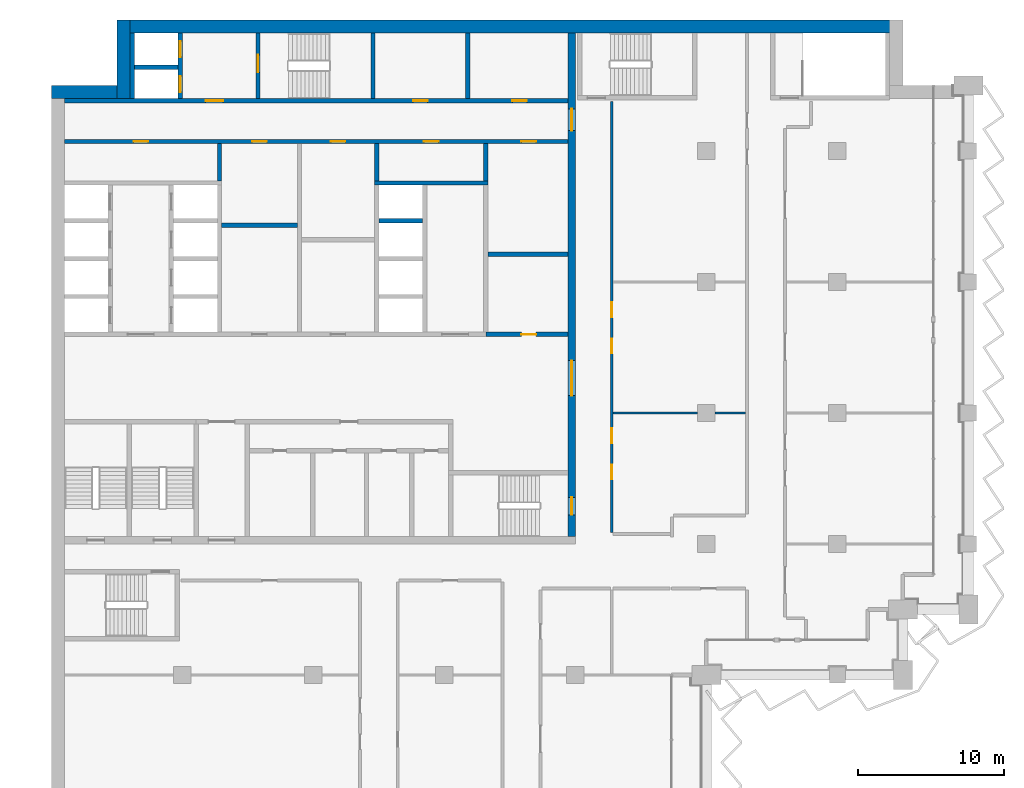
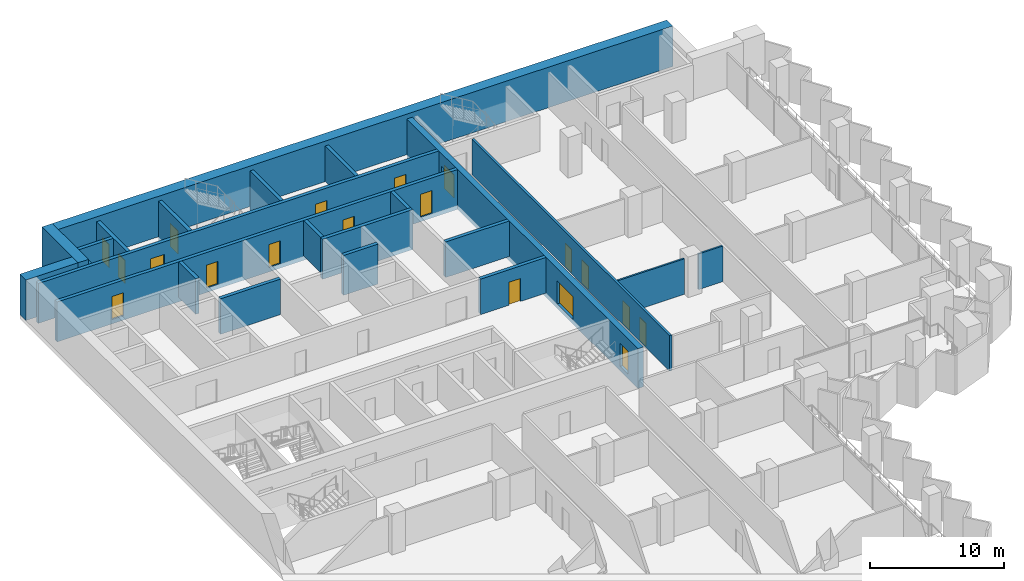
# One storey, part 14 of 22: 23 walls, 19 doors, 19 openings.
"""IFC4 building model written with IfcOpenShell, lengths in metres."""

from ifc_helpers import new_model, si_unit, direction, frame, frame_2d, origin, place, context, subcontext, project, spatial, rectangle, extrude, material, layer, layer_set, type_object, element, fill, save


model = new_model("IFC4")

# Units and contexts
model_context = context("Model", 3, precision=1e-05, world=origin(), true_north=direction((0.0, 1.0)))
body_context = subcontext(model_context, "Body", "Model", "MODEL_VIEW")
ifc_project = project(units=[si_unit("LENGTHUNIT", "METRE"), si_unit("AREAUNIT", "SQUARE_METRE"), si_unit("VOLUMEUNIT", "CUBIC_METRE"), si_unit("PLANEANGLEUNIT", "RADIAN"), si_unit("MASSUNIT", "GRAM", prefix="KILO")], contexts=[model_context])

# Site, building, storey
site_placement = place(None, origin())
site = spatial("IfcSite", under=ifc_project, at=site_placement, CompositionType="ELEMENT")
building_placement = place(site_placement, origin())
building = spatial("IfcBuilding", under=site, at=building_placement, Name="Hunhe Ridgeline Campus", CompositionType="ELEMENT")
storey_placement = place(building_placement, frame((0.0, 0.0, 174.5)))
storey = spatial("IfcBuildingStorey", under=building, at=storey_placement, Name="L44", CompositionType="ELEMENT", Elevation=174.5)

# Wall, opening, door
ifc_material_1 = material(Name="Masonry concrete blockwork", Category="masonry")
ifc_layer_1 = layer(ifc_material_1, 0.300048828125)
ifc_layer_set_1 = layer_set([ifc_layer_1], Name="Core room partition 300 concrete block")
wall_type_1 = type_object("IfcWallType", Name="Core room partition 300 concrete block", PredefinedType="PARTITIONING", material=ifc_layer_set_1)
wall_1_placement = place(storey_placement, frame((29.85009765625, 77.39990234375, 0.0), z_axis=(0.0, 0.0, 1.0), x_axis=(1.0, 0.0, 0.0)))
wall_1 = element("IfcWall", 1, at=wall_1_placement, inside=storey, type_object=wall_type_1, Name="L44 core partition 13", PredefinedType="PARTITIONING", context=body_context, shape_type="SweptSolid", body=[
    extrude(rectangle(XDim=5.64990234375, YDim=0.300048828125, at=frame_2d((2.824951171875, 0.0))), origin(), (0.0, 0.0, 1.0), 3.25),
])
opening_1_placement = place(wall_1_placement, frame((2.449951171875, 0.0, 0.0)))
opening_1 = element("IfcOpeningElement", 2, at=opening_1_placement, cuts=wall_1, Name="Opening CD32", PredefinedType="OPENING", context=body_context, shape_type="SweptSolid", body=[
    extrude(rectangle(XDim=1.0, YDim=2.10009765625, at=frame_2d((0.5, 1.050048828125))), frame((0.0, 0.14990234375, 0.0), z_axis=(0.0, -1.0, 0.0), x_axis=(1.0, 0.0, 0.0)), (0.0, 0.0, 1.0), 0.300048828125),
])
ifc_material_2 = material(Name="Solid core timber door leaf", Category="wood")
door_type_1 = type_object("IfcDoorType", Name="Timber door 1000x2100", OperationType="SINGLE_SWING_LEFT", PredefinedType="DOOR", material=ifc_material_2)
door_1_placement = place(opening_1_placement, origin())
door_1 = element("IfcDoor", 3, at=door_1_placement, inside=storey, type_object=door_type_1, Name="L44 door ES0", OperationType="SINGLE_SWING_LEFT", OverallHeight=2.10009765625, OverallWidth=1.0, PredefinedType="DOOR", context=body_context, shape_type="SweptSolid", body=[
    extrude(rectangle(XDim=1.0, YDim=2.10009765625, at=frame_2d((0.5, 1.050048828125))), frame((0.0, 0.02490234375, 0.0), z_axis=(0.0, -1.0, 0.0), x_axis=(1.0, 0.0, 0.0)), (0.0, 0.0, 1.0), 0.050048828125),
])
fill(opening_1, door_1)

# Walls
wall_2_placement = place(storey_placement, frame((30.0, 82.89990234375, 0.0), z_axis=(0.0, 0.0, 1.0), x_axis=(1.0, 0.0, 0.0)))
element("IfcWall", 4, at=wall_2_placement, inside=storey, type_object=wall_type_1, Name="L44 core partition 20", PredefinedType="PARTITIONING", context=body_context, shape_type="SweptSolid", body=[
    extrude(rectangle(XDim=5.5, YDim=0.300048828125, at=frame_2d((2.75, 0.0))), origin(), (0.0, 0.0, 1.0), 3.25),
])
wall_3_placement = place(storey_placement, frame((11.699951171875, 84.89990234375, 0.0), z_axis=(0.0, 0.0, 1.0), x_axis=(1.0, 0.0, 0.0)))
element("IfcWall", 5, at=wall_3_placement, inside=storey, type_object=wall_type_1, Name="L44 core partition 22", PredefinedType="PARTITIONING", context=body_context, shape_type="SweptSolid", body=[
    extrude(rectangle(XDim=5.199951171875, YDim=0.300048828125, at=frame_2d((2.60009765625, 0.0))), origin(), (0.0, 0.0, 1.0), 3.25),
])
for number, where, z_axis, x_axis, name in (
    (6, (11.550048828125, 87.949951171875, 0.0), (0.0, 0.0, 1.0), (0.0, 1.0, 0.0), "L44 core partition 42"),
    (7, (22.35009765625, 87.949951171875, 0.0), (0.0, 0.0, 1.0), (0.0, 1.0, 0.0), "L44 core partition 51"),
):
    element("IfcWall", number, at=place(storey_placement, frame(where, z_axis=z_axis, x_axis=x_axis)), inside=storey, type_object=wall_type_1, Name=name, PredefinedType="PARTITIONING", context=body_context, shape_type="SweptSolid", body=[
        extrude(rectangle(XDim=2.550048828125, YDim=0.300048828125, at=frame_2d((1.27490234375, 0.0))), origin(), (0.0, 0.0, 1.0), 3.25),
    ])
wall_4_placement = place(storey_placement, frame((28.60009765625, 93.60009765625, 0.0), z_axis=(0.0, 0.0, 1.0), x_axis=(0.0, 1.0, 0.0)))
element("IfcWall", 8, at=wall_4_placement, inside=storey, type_object=wall_type_1, Name="L44 core partition 57", PredefinedType="PARTITIONING", context=body_context, shape_type="SweptSolid", body=[
    extrude(rectangle(XDim=4.5, YDim=0.300048828125, at=frame_2d((2.25, 0.0))), origin(), (0.0, 0.0, 1.0), 3.25),
])
wall_5_placement = place(storey_placement, frame((29.85009765625, 87.949951171875, 0.0), z_axis=(0.0, 0.0, 1.0), x_axis=(0.0, 1.0, 0.0)))
element("IfcWall", 9, at=wall_5_placement, inside=storey, type_object=wall_type_1, Name="L44 core partition 59", PredefinedType="PARTITIONING", context=body_context, shape_type="SweptSolid", body=[
    extrude(rectangle(XDim=2.550048828125, YDim=0.300048828125, at=frame_2d((1.27490234375, 0.0))), origin(), (0.0, 0.0, 1.0), 3.25),
])

# Wall, openings, doors
ifc_material_3 = material(Name="Concrete C70", Category="concrete")
ifc_layer_2 = layer(ifc_material_3, 0.5)
ifc_layer_set_2 = layer_set([ifc_layer_2], Name="Core wall 500 reinforced concrete C70")
wall_type_2 = type_object("IfcWallType", Name="Core wall 500 reinforced concrete C70", PredefinedType="SOLIDWALL", material=ifc_layer_set_2)
wall_6_placement = place(storey_placement, frame((35.75, 63.5, -0.39990234375), z_axis=(0.0, 0.0, 1.0), x_axis=(0.0, 1.0, 0.0)))
wall_6 = element("IfcWall", 10, at=wall_6_placement, inside=storey, type_object=wall_type_2, Name="L44 core wall 60", PredefinedType="SOLIDWALL", context=body_context, shape_type="SweptSolid", body=[
    extrude(rectangle(XDim=34.60009765625, YDim=0.5, at=frame_2d((17.300048828125, 0.0))), origin(), (0.0, 0.0, 1.0), 3.64990234375),
])
opening_2_placement = place(wall_6_placement, frame((9.699951171875, 0.0, 0.39990234375)))
opening_2 = element("IfcOpeningElement", 11, at=opening_2_placement, cuts=wall_6, Name="Opening CD4", PredefinedType="OPENING", context=body_context, shape_type="SweptSolid", body=[
    extrude(rectangle(XDim=2.39990234375, YDim=2.10009765625, at=frame_2d((1.199951171875, 1.050048828125))), frame((0.0, 0.25, 0.0), z_axis=(0.0, -1.0, 0.0), x_axis=(1.0, 0.0, 0.0)), (0.0, 0.0, 1.0), 0.5),
])
opening_3_placement = place(wall_6_placement, frame((27.89990234375, 0.0, 0.39990234375)))
opening_3 = element("IfcOpeningElement", 12, at=opening_3_placement, cuts=wall_6, Name="Opening CD5", PredefinedType="OPENING", context=body_context, shape_type="SweptSolid", body=[
    extrude(rectangle(XDim=1.5, YDim=2.10009765625, at=frame_2d((0.75, 1.050048828125))), frame((0.0, 0.25, 0.0), z_axis=(0.0, -1.0, 0.0), x_axis=(1.0, 0.0, 0.0)), (0.0, 0.0, 1.0), 0.5),
])
opening_4_placement = place(wall_6_placement, frame((1.5, 0.0, 0.39990234375)))
opening_4 = element("IfcOpeningElement", 13, at=opening_4_placement, cuts=wall_6, Name="Opening CD15", PredefinedType="OPENING", context=body_context, shape_type="SweptSolid", body=[
    extrude(rectangle(XDim=1.199951171875, YDim=2.10009765625, at=frame_2d((0.60009765625, 1.050048828125))), frame((0.0, 0.25, 0.0), z_axis=(0.0, -1.0, 0.0), x_axis=(1.0, 0.0, 0.0)), (0.0, 0.0, 1.0), 0.5),
])
ifc_material_4 = material(Name="Anodised aluminium and glass", Category="aluminium")
door_type_2 = type_object("IfcDoorType", Name="Glazed double door 2400x2100", OperationType="DOUBLE_DOOR_SINGLE_SWING", PredefinedType="DOOR", material=ifc_material_4)
door_2_placement = place(opening_2_placement, frame((2.39990234375, 0.0, 0.0), z_axis=(0.0, 0.0, 1.0), x_axis=(-1.0, 0.0, 0.0)))
door_2 = element("IfcDoor", 14, at=door_2_placement, inside=storey, type_object=door_type_2, Name="L44 door HALL-FLOOR", OperationType="DOUBLE_DOOR_SINGLE_SWING", OverallHeight=2.10009765625, OverallWidth=2.39990234375, PredefinedType="DOOR", context=body_context, shape_type="SweptSolid", body=[
    extrude(rectangle(XDim=2.39990234375, YDim=2.10009765625, at=frame_2d((1.199951171875, 1.050048828125))), frame((0.0, 0.02490234375, 0.0), z_axis=(0.0, -1.0, 0.0), x_axis=(1.0, 0.0, 0.0)), (0.0, 0.0, 1.0), 0.050048828125),
])
fill(opening_2, door_2)
ifc_material_5 = material(Name="Hollow metal fire door leaf")
door_type_3 = type_object("IfcDoorType", Name="Stair door 1200x2100 FD60", OperationType="SINGLE_SWING_LEFT", PredefinedType="DOOR", material=ifc_material_5)
door_3_placement = place(opening_4_placement, frame((1.199951171875, 0.0, 0.0), z_axis=(0.0, 0.0, 1.0), x_axis=(-1.0, 0.0, 0.0)))
door_3 = element("IfcDoor", 15, at=door_3_placement, inside=storey, type_object=door_type_3, Name="L44 door S2-FLOOR", OperationType="SINGLE_SWING_RIGHT", OverallHeight=2.10009765625, OverallWidth=1.199951171875, PredefinedType="DOOR", context=body_context, shape_type="SweptSolid", body=[
    extrude(rectangle(XDim=1.199951171875, YDim=2.10009765625, at=frame_2d((0.60009765625, 1.050048828125))), frame((0.0, 0.02490234375, 0.0), z_axis=(0.0, -1.0, 0.0), x_axis=(1.0, 0.0, 0.0)), (0.0, 0.0, 1.0), 0.050048828125),
])
fill(opening_4, door_3)
door_type_4 = type_object("IfcDoorType", Name="Timber door 1500x2100", OperationType="SINGLE_SWING_LEFT", PredefinedType="DOOR", material=ifc_material_2)
door_4_placement = place(opening_3_placement, frame((1.5, 0.0, 0.0), z_axis=(0.0, 0.0, 1.0), x_axis=(-1.0, 0.0, 0.0)))
door_4 = element("IfcDoor", 16, at=door_4_placement, inside=storey, type_object=door_type_4, Name="L44 door C1-FLOOR", OperationType="SINGLE_SWING_RIGHT", OverallHeight=2.10009765625, OverallWidth=1.5, PredefinedType="DOOR", context=body_context, shape_type="SweptSolid", body=[
    extrude(rectangle(XDim=1.5, YDim=2.10009765625, at=frame_2d((0.75, 1.050048828125))), frame((0.0, 0.02490234375, 0.0), z_axis=(0.0, -1.0, 0.0), x_axis=(1.0, 0.0, 0.0)), (0.0, 0.0, 1.0), 0.050048828125),
])
fill(opening_3, door_4)

ifc_material_6 = material(Name="Gypsum board partition")
ifc_layer_3 = layer(ifc_material_6, 0.199951171875)
ifc_layer_set_3 = layer_set([ifc_layer_3], Name="Corridor partition 200 gypsum board on steel studs")
wall_type_3 = type_object("IfcWallType", Name="Corridor partition 200 gypsum board on steel studs", PredefinedType="PARTITIONING", material=ifc_layer_set_3)
wall_7_placement = place(storey_placement, frame((38.5, 93.39599609375, 0.0), z_axis=(0.0, 0.0, 1.0), x_axis=(0.0, -1.0, 0.0)))
wall_7 = element("IfcWall", 17, at=wall_7_placement, inside=storey, type_object=wall_type_3, Name="F-L44-wall-074", PredefinedType="PARTITIONING", context=body_context, shape_type="SweptSolid", body=[
    extrude(rectangle(XDim=29.595947265625, YDim=0.199951171875, at=frame_2d((14.7978515625, 0.0))), origin(), (0.0, 0.0, 1.0), 3.25),
])
opening_5_placement = place(wall_7_placement, frame((24.95751953125, 0.0, 0.0)))
opening_5 = element("IfcOpeningElement", 18, at=opening_5_placement, cuts=wall_7, Name="Opening RD1-028", PredefinedType="OPENING", context=body_context, shape_type="SweptSolid", body=[
    extrude(rectangle(XDim=1.0, YDim=2.10009765625, at=frame_2d((0.5, 1.050048828125))), frame((0.0, 0.10009765625, 0.0), z_axis=(0.0, -1.0, 0.0), x_axis=(1.0, 0.0, 0.0)), (0.0, 0.0, 1.0), 0.199951171875),
])
opening_6_placement = place(wall_7_placement, frame((22.45751953125, 0.0, 0.0)))
opening_6 = element("IfcOpeningElement", 19, at=opening_6_placement, cuts=wall_7, Name="Opening RD1-030", PredefinedType="OPENING", context=body_context, shape_type="SweptSolid", body=[
    extrude(rectangle(XDim=1.0, YDim=2.10009765625, at=frame_2d((0.5, 1.050048828125))), frame((0.0, 0.10009765625, 0.0), z_axis=(0.0, -1.0, 0.0), x_axis=(1.0, 0.0, 0.0)), (0.0, 0.0, 1.0), 0.199951171875),
])
opening_7_placement = place(wall_7_placement, frame((16.304443359375, 0.0, 0.0)))
opening_7 = element("IfcOpeningElement", 20, at=opening_7_placement, cuts=wall_7, Name="Opening RD1-032", PredefinedType="OPENING", context=body_context, shape_type="SweptSolid", body=[
    extrude(rectangle(XDim=1.0, YDim=2.10009765625, at=frame_2d((0.5, 1.050048828125))), frame((0.0, 0.10009765625, 0.0), z_axis=(0.0, -1.0, 0.0), x_axis=(1.0, 0.0, 0.0)), (0.0, 0.0, 1.0), 0.199951171875),
])
opening_8_placement = place(wall_7_placement, frame((13.804443359375, 0.0, 0.0)))
opening_8 = element("IfcOpeningElement", 21, at=opening_8_placement, cuts=wall_7, Name="Opening RD1-033", PredefinedType="OPENING", context=body_context, shape_type="SweptSolid", body=[
    extrude(rectangle(XDim=1.0, YDim=2.10009765625, at=frame_2d((0.5, 1.050048828125))), frame((0.0, 0.10009765625, 0.0), z_axis=(0.0, -1.0, 0.0), x_axis=(1.0, 0.0, 0.0)), (0.0, 0.0, 1.0), 0.199951171875),
])
ifc_material_7 = material(Name="Timber door leaf", Category="wood")
door_type_5 = type_object("IfcDoorType", Name="Single fire door 1000x2100 timber FD60", OperationType="NOTDEFINED", PredefinedType="DOOR", material=ifc_material_7)
door_5_placement = place(opening_5_placement, frame((1.0, 0.0, 0.0), z_axis=(0.0, 0.0, 1.0), x_axis=(-1.0, 0.0, 0.0)))
door_5 = element("IfcDoor", 22, at=door_5_placement, inside=storey, type_object=door_type_5, Name="F-L44-door-028", OperationType="SINGLE_SWING_LEFT", OverallHeight=2.10009765625, OverallWidth=1.0, PredefinedType="DOOR", context=body_context, shape_type="SweptSolid", body=[
    extrude(rectangle(XDim=1.0, YDim=2.10009765625, at=frame_2d((0.5, 1.050048828125))), frame((0.0, 0.02490234375, 0.0), z_axis=(0.0, -1.0, 0.0), x_axis=(1.0, 0.0, 0.0)), (0.0, 0.0, 1.0), 0.050048828125),
])
fill(opening_5, door_5)
door_6_placement = place(opening_6_placement, frame((1.0, 0.0, 0.0), z_axis=(0.0, 0.0, 1.0), x_axis=(-1.0, 0.0, 0.0)))
door_6 = element("IfcDoor", 23, at=door_6_placement, inside=storey, type_object=door_type_5, Name="F-L44-door-030", OperationType="SINGLE_SWING_RIGHT", OverallHeight=2.10009765625, OverallWidth=1.0, PredefinedType="DOOR", context=body_context, shape_type="SweptSolid", body=[
    extrude(rectangle(XDim=1.0, YDim=2.10009765625, at=frame_2d((0.5, 1.050048828125))), frame((0.0, 0.02490234375, 0.0), z_axis=(0.0, -1.0, 0.0), x_axis=(1.0, 0.0, 0.0)), (0.0, 0.0, 1.0), 0.050048828125),
])
fill(opening_6, door_6)
door_7_placement = place(opening_7_placement, frame((1.0, 0.0, 0.0), z_axis=(0.0, 0.0, 1.0), x_axis=(-1.0, 0.0, 0.0)))
door_7 = element("IfcDoor", 24, at=door_7_placement, inside=storey, type_object=door_type_5, Name="F-L44-door-032", OperationType="SINGLE_SWING_RIGHT", OverallHeight=2.10009765625, OverallWidth=1.0, PredefinedType="DOOR", context=body_context, shape_type="SweptSolid", body=[
    extrude(rectangle(XDim=1.0, YDim=2.10009765625, at=frame_2d((0.5, 1.050048828125))), frame((0.0, 0.02490234375, 0.0), z_axis=(0.0, -1.0, 0.0), x_axis=(1.0, 0.0, 0.0)), (0.0, 0.0, 1.0), 0.050048828125),
])
fill(opening_7, door_7)
door_8_placement = place(opening_8_placement, frame((1.0, 0.0, 0.0), z_axis=(0.0, 0.0, 1.0), x_axis=(-1.0, 0.0, 0.0)))
door_8 = element("IfcDoor", 25, at=door_8_placement, inside=storey, type_object=door_type_5, Name="F-L44-door-033", OperationType="SINGLE_SWING_RIGHT", OverallHeight=2.10009765625, OverallWidth=1.0, PredefinedType="DOOR", context=body_context, shape_type="SweptSolid", body=[
    extrude(rectangle(XDim=1.0, YDim=2.10009765625, at=frame_2d((0.5, 1.050048828125))), frame((0.0, 0.02490234375, 0.0), z_axis=(0.0, -1.0, 0.0), x_axis=(1.0, 0.0, 0.0)), (0.0, 0.0, 1.0), 0.050048828125),
])
fill(opening_8, door_8)

ifc_layer_4 = layer(ifc_material_3, 0.300048828125)
ifc_layer_set_4 = layer_set([ifc_layer_4], Name="Lobby wall 300 reinforced concrete C70")
wall_type_4 = type_object("IfcWallType", Name="Lobby wall 300 reinforced concrete C70", PredefinedType="SOLIDWALL", material=ifc_layer_set_4)
wall_8_placement = place(storey_placement, frame((0.89990234375, 90.64990234375, -0.39990234375), z_axis=(0.0, 0.0, 1.0), x_axis=(1.0, 0.0, 0.0)))
wall_8 = element("IfcWall", 26, at=wall_8_placement, inside=storey, type_object=wall_type_4, Name="L44 core wall 28", PredefinedType="SOLIDWALL", context=body_context, shape_type="SweptSolid", body=[
    extrude(rectangle(XDim=34.60009765625, YDim=0.300048828125, at=frame_2d((17.300048828125, 0.0))), origin(), (0.0, 0.0, 1.0), 3.64990234375),
])
opening_9_placement = place(wall_8_placement, frame((4.75, 0.0, 0.39990234375)))
opening_9 = element("IfcOpeningElement", 27, at=opening_9_placement, cuts=wall_8, Name="Opening CD26", PredefinedType="OPENING", context=body_context, shape_type="SweptSolid", body=[
    extrude(rectangle(XDim=1.0, YDim=2.10009765625, at=frame_2d((0.5, 1.050048828125))), frame((0.0, 0.14990234375, 0.0), z_axis=(0.0, -1.0, 0.0), x_axis=(1.0, 0.0, 0.0)), (0.0, 0.0, 1.0), 0.300048828125),
])
opening_10_placement = place(wall_8_placement, frame((24.699951171875, 0.0, 0.39990234375)))
opening_10 = element("IfcOpeningElement", 28, at=opening_10_placement, cuts=wall_8, Name="Opening CD27", PredefinedType="OPENING", context=body_context, shape_type="SweptSolid", body=[
    extrude(rectangle(XDim=1.0, YDim=2.10009765625, at=frame_2d((0.5, 1.050048828125))), frame((0.0, 0.14990234375, 0.0), z_axis=(0.0, -1.0, 0.0), x_axis=(1.0, 0.0, 0.0)), (0.0, 0.0, 1.0), 0.300048828125),
])
opening_11_placement = place(wall_8_placement, frame((12.89990234375, 0.0, 0.39990234375)))
opening_11 = element("IfcOpeningElement", 29, at=opening_11_placement, cuts=wall_8, Name="Opening CD29", PredefinedType="OPENING", context=body_context, shape_type="SweptSolid", body=[
    extrude(rectangle(XDim=1.0, YDim=2.10009765625, at=frame_2d((0.5, 1.050048828125))), frame((0.0, 0.14990234375, 0.0), z_axis=(0.0, -1.0, 0.0), x_axis=(1.0, 0.0, 0.0)), (0.0, 0.0, 1.0), 0.300048828125),
])
opening_12_placement = place(wall_8_placement, frame((18.300048828125, 0.0, 0.39990234375)))
opening_12 = element("IfcOpeningElement", 30, at=opening_12_placement, cuts=wall_8, Name="Opening CD31", PredefinedType="OPENING", context=body_context, shape_type="SweptSolid", body=[
    extrude(rectangle(XDim=1.0, YDim=2.10009765625, at=frame_2d((0.5, 1.050048828125))), frame((0.0, 0.14990234375, 0.0), z_axis=(0.0, -1.0, 0.0), x_axis=(1.0, 0.0, 0.0)), (0.0, 0.0, 1.0), 0.300048828125),
])
opening_13_placement = place(wall_8_placement, frame((31.39990234375, 0.0, 0.39990234375)))
opening_13 = element("IfcOpeningElement", 31, at=opening_13_placement, cuts=wall_8, Name="Opening CD33", PredefinedType="OPENING", context=body_context, shape_type="SweptSolid", body=[
    extrude(rectangle(XDim=1.0, YDim=2.10009765625, at=frame_2d((0.5, 1.050048828125))), frame((0.0, 0.14990234375, 0.0), z_axis=(0.0, -1.0, 0.0), x_axis=(1.0, 0.0, 0.0)), (0.0, 0.0, 1.0), 0.300048828125),
])
door_9_placement = place(opening_9_placement, frame((1.0, 0.0, 0.0), z_axis=(0.0, 0.0, 1.0), x_axis=(-1.0, 0.0, 0.0)))
door_9 = element("IfcDoor", 32, at=door_9_placement, inside=storey, type_object=door_type_1, Name="L44 door NR-0", OperationType="SINGLE_SWING_LEFT", OverallHeight=2.10009765625, OverallWidth=1.0, PredefinedType="DOOR", context=body_context, shape_type="SweptSolid", body=[
    extrude(rectangle(XDim=1.0, YDim=2.10009765625, at=frame_2d((0.5, 1.050048828125))), frame((0.0, 0.02490234375, 0.0), z_axis=(0.0, -1.0, 0.0), x_axis=(1.0, 0.0, 0.0)), (0.0, 0.0, 1.0), 0.050048828125),
])
fill(opening_9, door_9)
door_10_placement = place(opening_10_placement, frame((1.0, 0.0, 0.0), z_axis=(0.0, 0.0, 1.0), x_axis=(-1.0, 0.0, 0.0)))
door_10 = element("IfcDoor", 33, at=door_10_placement, inside=storey, type_object=door_type_1, Name="L44 door NR-1", OperationType="SINGLE_SWING_RIGHT", OverallHeight=2.10009765625, OverallWidth=1.0, PredefinedType="DOOR", context=body_context, shape_type="SweptSolid", body=[
    extrude(rectangle(XDim=1.0, YDim=2.10009765625, at=frame_2d((0.5, 1.050048828125))), frame((0.0, 0.02490234375, 0.0), z_axis=(0.0, -1.0, 0.0), x_axis=(1.0, 0.0, 0.0)), (0.0, 0.0, 1.0), 0.050048828125),
])
fill(opening_10, door_10)
door_11_placement = place(opening_11_placement, frame((1.0, 0.0, 0.0), z_axis=(0.0, 0.0, 1.0), x_axis=(-1.0, 0.0, 0.0)))
door_11 = element("IfcDoor", 34, at=door_11_placement, inside=storey, type_object=door_type_1, Name="L44 door VD-HR1", OperationType="SINGLE_SWING_RIGHT", OverallHeight=2.10009765625, OverallWidth=1.0, PredefinedType="DOOR", context=body_context, shape_type="SweptSolid", body=[
    extrude(rectangle(XDim=1.0, YDim=2.10009765625, at=frame_2d((0.5, 1.050048828125))), frame((0.0, 0.02490234375, 0.0), z_axis=(0.0, -1.0, 0.0), x_axis=(1.0, 0.0, 0.0)), (0.0, 0.0, 1.0), 0.050048828125),
])
fill(opening_11, door_11)
door_12_placement = place(opening_12_placement, frame((1.0, 0.0, 0.0), z_axis=(0.0, 0.0, 1.0), x_axis=(-1.0, 0.0, 0.0)))
door_12 = element("IfcDoor", 35, at=door_12_placement, inside=storey, type_object=door_type_1, Name="L44 door VD-HR3", OperationType="SINGLE_SWING_RIGHT", OverallHeight=2.10009765625, OverallWidth=1.0, PredefinedType="DOOR", context=body_context, shape_type="SweptSolid", body=[
    extrude(rectangle(XDim=1.0, YDim=2.10009765625, at=frame_2d((0.5, 1.050048828125))), frame((0.0, 0.02490234375, 0.0), z_axis=(0.0, -1.0, 0.0), x_axis=(1.0, 0.0, 0.0)), (0.0, 0.0, 1.0), 0.050048828125),
])
fill(opening_12, door_12)
door_13_placement = place(opening_13_placement, frame((1.0, 0.0, 0.0), z_axis=(0.0, 0.0, 1.0), x_axis=(-1.0, 0.0, 0.0)))
door_13 = element("IfcDoor", 36, at=door_13_placement, inside=storey, type_object=door_type_1, Name="L44 door ES1", OperationType="SINGLE_SWING_LEFT", OverallHeight=2.10009765625, OverallWidth=1.0, PredefinedType="DOOR", context=body_context, shape_type="SweptSolid", body=[
    extrude(rectangle(XDim=1.0, YDim=2.10009765625, at=frame_2d((0.5, 1.050048828125))), frame((0.0, 0.02490234375, 0.0), z_axis=(0.0, -1.0, 0.0), x_axis=(1.0, 0.0, 0.0)), (0.0, 0.0, 1.0), 0.050048828125),
])
fill(opening_13, door_13)

# Walls
ifc_layer_5 = layer(ifc_material_6, 0.14990234375)
ifc_layer_set_5 = layer_set([ifc_layer_5], Name="Room partition 150 gypsum board on steel studs")
wall_type_5 = type_object("IfcWallType", Name="Room partition 150 gypsum board on steel studs", PredefinedType="PARTITIONING", material=ifc_layer_set_5)
wall_9_placement = place(storey_placement, frame((38.60009765625, 72.0, 0.0), z_axis=(0.0, 0.0, 1.0), x_axis=(1.0, 0.0, 0.0)))
element("IfcWall", 37, at=wall_9_placement, inside=storey, type_object=wall_type_5, Name="F-L44-wall-052", PredefinedType="PARTITIONING", context=body_context, shape_type="SweptSolid", body=[
    extrude(rectangle(XDim=5.7998046875, YDim=0.14990234375, at=frame_2d((2.89990234375, 0.0))), origin(), (0.0, 0.0, 1.0), 3.25),
])
wall_10_placement = place(storey_placement, frame((45.60009765625, 72.0, 0.0), z_axis=(0.0, 0.0, 1.0), x_axis=(1.0, 0.0, 0.0)))
element("IfcWall", 38, at=wall_10_placement, inside=storey, type_object=wall_type_5, Name="F-L44-wall-053", PredefinedType="PARTITIONING", context=body_context, shape_type="SweptSolid", body=[
    extrude(rectangle(XDim=2.099853515625, YDim=0.14990234375, at=frame_2d((1.0498046875, 0.0))), origin(), (0.0, 0.0, 1.0), 3.25),
])
ifc_layer_6 = layer(ifc_material_3, 0.300048828125)
ifc_layer_set_6 = layer_set([ifc_layer_6], Name="Shaft wall 300 reinforced concrete C70")
wall_type_6 = type_object("IfcWallType", Name="Shaft wall 300 reinforced concrete C70", PredefinedType="SOLIDWALL", material=ifc_layer_set_6)
wall_11_placement = place(storey_placement, frame((22.5, 85.199951171875, -0.39990234375), z_axis=(0.0, 0.0, 1.0), x_axis=(1.0, 0.0, 0.0)))
element("IfcWall", 39, at=wall_11_placement, inside=storey, type_object=wall_type_6, Name="L44 core wall 25", PredefinedType="SOLIDWALL", context=body_context, shape_type="SweptSolid", body=[
    extrude(rectangle(XDim=3.0, YDim=0.300048828125, at=frame_2d((1.5, 0.0))), origin(), (0.0, 0.0, 1.0), 3.64990234375),
])
wall_12_placement = place(storey_placement, frame((22.199951171875, 87.800048828125, -0.39990234375), z_axis=(0.0, 0.0, 1.0), x_axis=(1.0, 0.0, 0.0)))
element("IfcWall", 40, at=wall_12_placement, inside=storey, type_object=wall_type_6, Name="L44 core wall 27", PredefinedType="SOLIDWALL", context=body_context, shape_type="SweptSolid", body=[
    extrude(rectangle(XDim=7.800048828125, YDim=0.300048828125, at=frame_2d((3.89990234375, 0.0))), origin(), (0.0, 0.0, 1.0), 3.64990234375),
])

# Wall, openings, doors
wall_13_placement = place(storey_placement, frame((0.89990234375, 93.449951171875, -0.39990234375), z_axis=(0.0, 0.0, 1.0), x_axis=(1.0, 0.0, 0.0)))
wall_13 = element("IfcWall", 41, at=wall_13_placement, inside=storey, type_object=wall_type_6, Name="L44 core wall 29", PredefinedType="SOLIDWALL", context=body_context, shape_type="SweptSolid", body=[
    extrude(rectangle(XDim=34.60009765625, YDim=0.300048828125, at=frame_2d((17.300048828125, 0.0))), origin(), (0.0, 0.0, 1.0), 3.64990234375),
])
opening_14_placement = place(wall_13_placement, frame((9.699951171875, 0.0, 0.39990234375)))
opening_14 = element("IfcOpeningElement", 42, at=opening_14_placement, cuts=wall_13, Name="Opening CD3", PredefinedType="OPENING", context=body_context, shape_type="SweptSolid", body=[
    extrude(rectangle(XDim=1.199951171875, YDim=2.10009765625, at=frame_2d((0.60009765625, 1.050048828125))), frame((0.0, 0.14990234375, 0.0), z_axis=(0.0, -1.0, 0.0), x_axis=(1.0, 0.0, 0.0)), (0.0, 0.0, 1.0), 0.300048828125),
])
opening_15_placement = place(wall_13_placement, frame((23.949951171875, 0.0, 0.39990234375)))
opening_15 = element("IfcOpeningElement", 43, at=opening_15_placement, cuts=wall_13, Name="Opening CD34", PredefinedType="OPENING", context=body_context, shape_type="SweptSolid", body=[
    extrude(rectangle(XDim=1.0, YDim=2.10009765625, at=frame_2d((0.5, 1.050048828125))), frame((0.0, 0.14990234375, 0.0), z_axis=(0.0, -1.0, 0.0), x_axis=(1.0, 0.0, 0.0)), (0.0, 0.0, 1.0), 0.300048828125),
])
opening_16_placement = place(wall_13_placement, frame((30.77490234375, 0.0, 0.39990234375)))
opening_16 = element("IfcOpeningElement", 44, at=opening_16_placement, cuts=wall_13, Name="Opening CD35", PredefinedType="OPENING", context=body_context, shape_type="SweptSolid", body=[
    extrude(rectangle(XDim=1.0, YDim=2.10009765625, at=frame_2d((0.5, 1.050048828125))), frame((0.0, 0.14990234375, 0.0), z_axis=(0.0, -1.0, 0.0), x_axis=(1.0, 0.0, 0.0)), (0.0, 0.0, 1.0), 0.300048828125),
])
door_type_6 = type_object("IfcDoorType", Name="Lobby door 1200x2100 FD60", OperationType="SINGLE_SWING_LEFT", PredefinedType="DOOR", material=ifc_material_5)
door_14_placement = place(opening_14_placement, frame((1.199951171875, 0.0, 0.0), z_axis=(0.0, 0.0, 1.0), x_axis=(-1.0, 0.0, 0.0)))
door_14 = element("IfcDoor", 45, at=door_14_placement, inside=storey, type_object=door_type_6, Name="L44 door FF-C1", OperationType="SINGLE_SWING_LEFT", OverallHeight=2.10009765625, OverallWidth=1.199951171875, PredefinedType="DOOR", context=body_context, shape_type="SweptSolid", body=[
    extrude(rectangle(XDim=1.199951171875, YDim=2.10009765625, at=frame_2d((0.60009765625, 1.050048828125))), frame((0.0, 0.02490234375, 0.0), z_axis=(0.0, -1.0, 0.0), x_axis=(1.0, 0.0, 0.0)), (0.0, 0.0, 1.0), 0.050048828125),
])
fill(opening_14, door_14)
door_15_placement = place(opening_15_placement, origin())
door_15 = element("IfcDoor", 46, at=door_15_placement, inside=storey, type_object=door_type_1, Name="L44 door NB0", OperationType="SINGLE_SWING_LEFT", OverallHeight=2.10009765625, OverallWidth=1.0, PredefinedType="DOOR", context=body_context, shape_type="SweptSolid", body=[
    extrude(rectangle(XDim=1.0, YDim=2.10009765625, at=frame_2d((0.5, 1.050048828125))), frame((0.0, 0.02490234375, 0.0), z_axis=(0.0, -1.0, 0.0), x_axis=(1.0, 0.0, 0.0)), (0.0, 0.0, 1.0), 0.050048828125),
])
fill(opening_15, door_15)
door_16_placement = place(opening_16_placement, origin())
door_16 = element("IfcDoor", 47, at=door_16_placement, inside=storey, type_object=door_type_1, Name="L44 door NB1", OperationType="SINGLE_SWING_RIGHT", OverallHeight=2.10009765625, OverallWidth=1.0, PredefinedType="DOOR", context=body_context, shape_type="SweptSolid", body=[
    extrude(rectangle(XDim=1.0, YDim=2.10009765625, at=frame_2d((0.5, 1.050048828125))), frame((0.0, 0.02490234375, 0.0), z_axis=(0.0, -1.0, 0.0), x_axis=(1.0, 0.0, 0.0)), (0.0, 0.0, 1.0), 0.050048828125),
])
fill(opening_16, door_16)

# Walls
wall_14_placement = place(storey_placement, frame((5.699951171875, 95.75, -0.39990234375), z_axis=(0.0, 0.0, 1.0), x_axis=(1.0, 0.0, 0.0)))
element("IfcWall", 48, at=wall_14_placement, inside=storey, type_object=wall_type_6, Name="L44 core wall 32", PredefinedType="SOLIDWALL", context=body_context, shape_type="SweptSolid", body=[
    extrude(rectangle(XDim=3.0, YDim=0.300048828125, at=frame_2d((1.5, 0.0))), origin(), (0.0, 0.0, 1.0), 3.64990234375),
])
wall_15_placement = place(storey_placement, frame((5.550048828125, 93.60009765625, -0.39990234375), z_axis=(0.0, 0.0, 1.0), x_axis=(0.0, 1.0, 0.0)))
element("IfcWall", 49, at=wall_15_placement, inside=storey, type_object=wall_type_6, Name="L44 core wall 35", PredefinedType="SOLIDWALL", context=body_context, shape_type="SweptSolid", body=[
    extrude(rectangle(XDim=4.5, YDim=0.300048828125, at=frame_2d((2.25, 0.0))), origin(), (0.0, 0.0, 1.0), 3.64990234375),
])

# Wall, openings, doors
wall_16_placement = place(storey_placement, frame((8.85009765625, 93.60009765625, -0.39990234375), z_axis=(0.0, 0.0, 1.0), x_axis=(0.0, 1.0, 0.0)))
wall_16 = element("IfcWall", 50, at=wall_16_placement, inside=storey, type_object=wall_type_6, Name="L44 core wall 39", PredefinedType="SOLIDWALL", context=body_context, shape_type="SweptSolid", body=[
    extrude(rectangle(XDim=4.5, YDim=0.300048828125, at=frame_2d((2.25, 0.0))), origin(), (0.0, 0.0, 1.0), 3.64990234375),
])
opening_17_placement = place(wall_16_placement, frame((0.449951171875, 0.0, 0.39990234375)))
opening_17 = element("IfcOpeningElement", 51, at=opening_17_placement, cuts=wall_16, Name="Opening LD-FF1", PredefinedType="OPENING", context=body_context, shape_type="SweptSolid", body=[
    extrude(rectangle(XDim=1.10009765625, YDim=2.10009765625, at=frame_2d((0.550048828125, 1.050048828125))), frame((0.0, 0.14990234375, 0.0), z_axis=(0.0, -1.0, 0.0), x_axis=(1.0, 0.0, 0.0)), (0.0, 0.0, 1.0), 0.300048828125),
])
opening_18_placement = place(wall_16_placement, frame((2.85009765625, 0.0, 0.39990234375)))
opening_18 = element("IfcOpeningElement", 52, at=opening_18_placement, cuts=wall_16, Name="Opening LD-FF2", PredefinedType="OPENING", context=body_context, shape_type="SweptSolid", body=[
    extrude(rectangle(XDim=1.10009765625, YDim=2.10009765625, at=frame_2d((0.550048828125, 1.050048828125))), frame((0.0, 0.14990234375, 0.0), z_axis=(0.0, -1.0, 0.0), x_axis=(1.0, 0.0, 0.0)), (0.0, 0.0, 1.0), 0.300048828125),
])
ifc_material_8 = material(Name="Stainless steel sliding leaves", Category="steel")
door_type_7 = type_object("IfcDoorType", Name="Landing door 1100x2100 FD120", OperationType="SLIDING_TO_LEFT", PredefinedType="DOOR", material=ifc_material_8)
door_17_placement = place(opening_17_placement, origin())
door_17 = element("IfcDoor", 53, at=door_17_placement, inside=storey, type_object=door_type_7, Name="L44 landing door FF1", OperationType="SLIDING_TO_RIGHT", OverallHeight=2.10009765625, OverallWidth=1.10009765625, PredefinedType="DOOR", context=body_context, shape_type="SweptSolid", body=[
    extrude(rectangle(XDim=1.10009765625, YDim=2.10009765625, at=frame_2d((0.550048828125, 1.050048828125))), frame((0.0, 0.02490234375, 0.0), z_axis=(0.0, -1.0, 0.0), x_axis=(1.0, 0.0, 0.0)), (0.0, 0.0, 1.0), 0.050048828125),
])
fill(opening_17, door_17)
door_18_placement = place(opening_18_placement, origin())
door_18 = element("IfcDoor", 54, at=door_18_placement, inside=storey, type_object=door_type_7, Name="L44 landing door FF2", OperationType="SLIDING_TO_LEFT", OverallHeight=2.10009765625, OverallWidth=1.10009765625, PredefinedType="DOOR", context=body_context, shape_type="SweptSolid", body=[
    extrude(rectangle(XDim=1.10009765625, YDim=2.10009765625, at=frame_2d((0.550048828125, 1.050048828125))), frame((0.0, 0.02490234375, 0.0), z_axis=(0.0, -1.0, 0.0), x_axis=(1.0, 0.0, 0.0)), (0.0, 0.0, 1.0), 0.050048828125),
])
fill(opening_18, door_18)

# Walls
ifc_layer_7 = layer(ifc_material_3, 0.89990234375)
ifc_layer_set_7 = layer_set([ifc_layer_7], Name="Spine wall 900 Concrete C70")
wall_type_7 = type_object("IfcWallType", Name="Spine wall 900 Concrete C70", PredefinedType="SHEAR", material=ifc_layer_set_7)
wall_17_placement = place(storey_placement, frame((58.5, 98.550048828125, 0.0), z_axis=(0.0, 0.0, 1.0), x_axis=(-1.0, 0.0, 0.0)))
element("IfcWall", 55, at=wall_17_placement, inside=storey, type_object=wall_type_7, Name="Spine wall SW2-4 L44", PredefinedType="SHEAR", context=body_context, shape_type="SweptSolid", body=[
    extrude(rectangle(XDim=54.0, YDim=0.89990234375, at=frame_2d((27.0, 0.0))), origin(), (0.0, 0.0, 1.0), 3.699951171875),
])
for number, where, z_axis, x_axis, name in (
    (56, (4.949951171875, 99.0, 0.0), (0.0, 0.0, 1.0), (0.0, -1.0, 0.0), "Spine wall SW2-5 L44"),
    (57, (5.400146484375, 94.050048828125, 0.0), (0.0, 0.0, 1.0), (-1.0, 0.0, 0.0), "Spine wall SW2-6 L44"),
):
    element("IfcWall", number, at=place(storey_placement, frame(where, z_axis=z_axis, x_axis=x_axis)), inside=storey, type_object=wall_type_7, Name=name, PredefinedType="SHEAR", context=body_context, shape_type="SweptSolid", body=[
        extrude(rectangle(XDim=5.400146484375, YDim=0.89990234375, at=frame_2d((2.7001953125, 0.0))), origin(), (0.0, 0.0, 1.0), 3.699951171875),
    ])

# Wall, opening, door
ifc_layer_8 = layer(ifc_material_3, 0.300048828125)
ifc_layer_set_8 = layer_set([ifc_layer_8], Name="Stair wall 300 reinforced concrete C70")
wall_type_8 = type_object("IfcWallType", Name="Stair wall 300 reinforced concrete C70", PredefinedType="SOLIDWALL", material=ifc_layer_set_8)
wall_18_placement = place(storey_placement, frame((14.199951171875, 93.60009765625, -0.39990234375), z_axis=(0.0, 0.0, 1.0), x_axis=(0.0, 1.0, 0.0)))
wall_18 = element("IfcWall", 58, at=wall_18_placement, inside=storey, type_object=wall_type_8, Name="L44 core wall 44", PredefinedType="SOLIDWALL", context=body_context, shape_type="SweptSolid", body=[
    extrude(rectangle(XDim=4.5, YDim=0.300048828125, at=frame_2d((2.25, 0.0))), origin(), (0.0, 0.0, 1.0), 3.64990234375),
])
opening_19_placement = place(wall_18_placement, frame((1.800048828125, 0.0, 0.39990234375)))
opening_19 = element("IfcOpeningElement", 59, at=opening_19_placement, cuts=wall_18, Name="Opening CD16", PredefinedType="OPENING", context=body_context, shape_type="SweptSolid", body=[
    extrude(rectangle(XDim=1.199951171875, YDim=2.10009765625, at=frame_2d((0.60009765625, 1.050048828125))), frame((0.0, 0.14990234375, 0.0), z_axis=(0.0, -1.0, 0.0), x_axis=(1.0, 0.0, 0.0)), (0.0, 0.0, 1.0), 0.300048828125),
])
door_19_placement = place(opening_19_placement, origin())
door_19 = element("IfcDoor", 60, at=door_19_placement, inside=storey, type_object=door_type_3, Name="L44 door S1-FF", OperationType="SINGLE_SWING_LEFT", OverallHeight=2.10009765625, OverallWidth=1.199951171875, PredefinedType="DOOR", context=body_context, shape_type="SweptSolid", body=[
    extrude(rectangle(XDim=1.199951171875, YDim=2.10009765625, at=frame_2d((0.60009765625, 1.050048828125))), frame((0.0, 0.02490234375, 0.0), z_axis=(0.0, -1.0, 0.0), x_axis=(1.0, 0.0, 0.0)), (0.0, 0.0, 1.0), 0.050048828125),
])
fill(opening_19, door_19)

# Wall
wall_19_placement = place(storey_placement, frame((22.10009765625, 93.60009765625, -0.39990234375), z_axis=(0.0, 0.0, 1.0), x_axis=(0.0, 1.0, 0.0)))
element("IfcWall", 61, at=wall_19_placement, inside=storey, type_object=wall_type_8, Name="L44 core wall 49", PredefinedType="SOLIDWALL", context=body_context, shape_type="SweptSolid", body=[
    extrude(rectangle(XDim=4.5, YDim=0.300048828125, at=frame_2d((2.25, 0.0))), origin(), (0.0, 0.0, 1.0), 3.64990234375),
])

save(model, "model.ifc")
